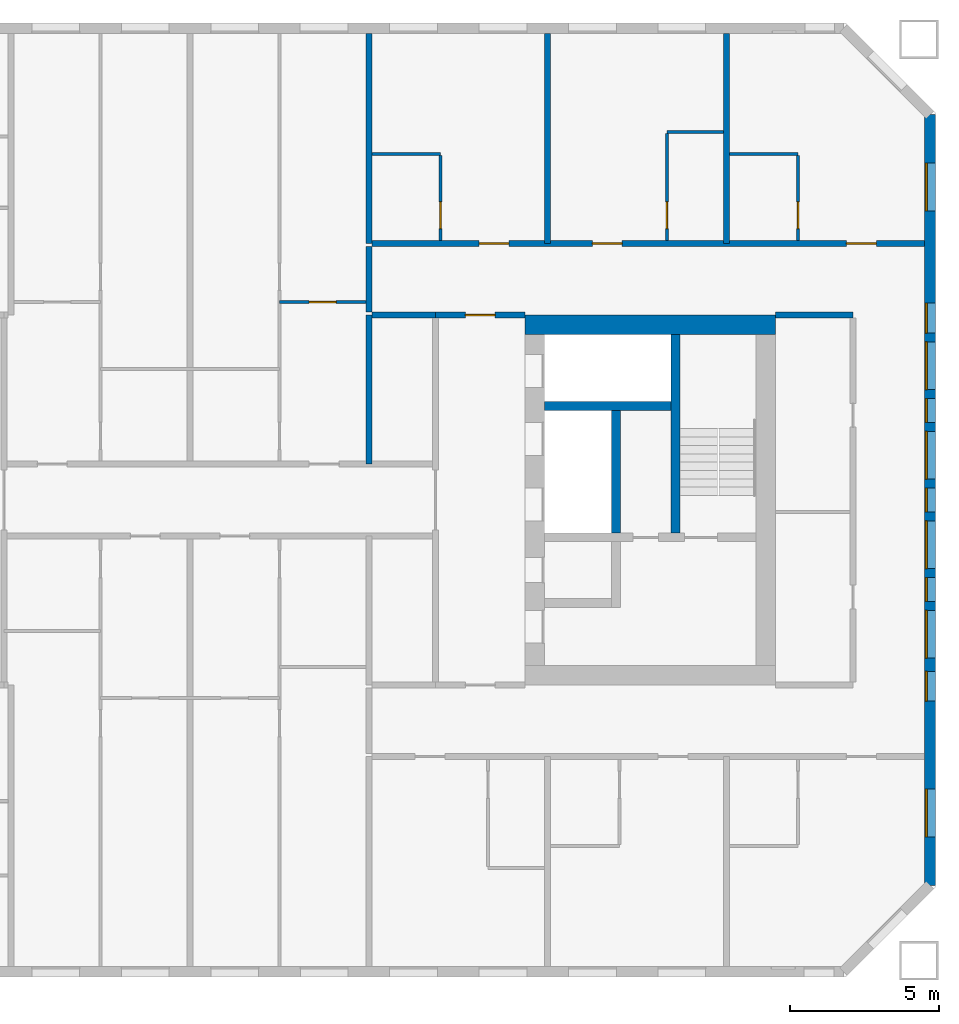
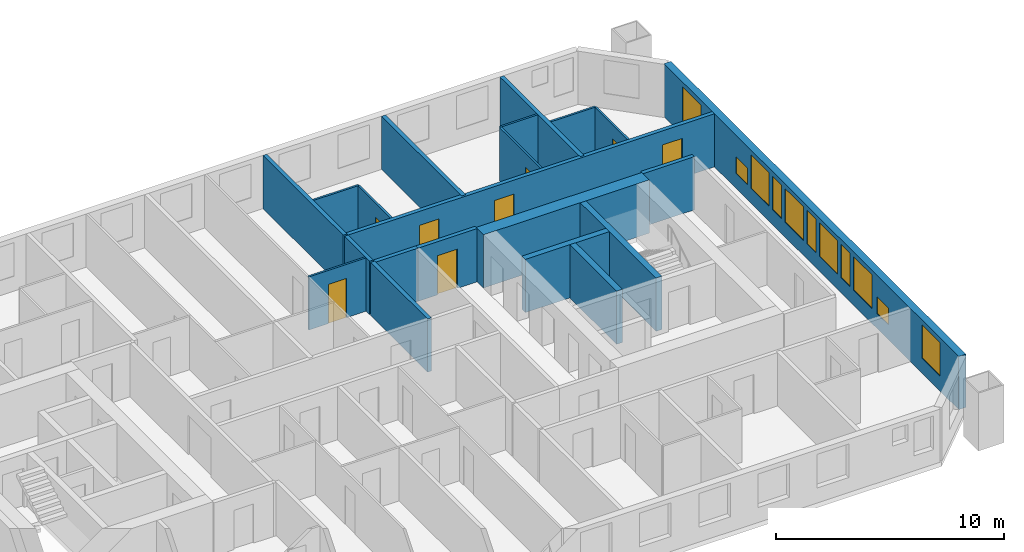
# One storey, part 14 of 17: 21 walls, 11 windows, 8 doors, 19 openings.
"""IFC4 building model written with IfcOpenShell, lengths in metres."""

from ifc_helpers import new_model, si_unit, direction, frame, frame_2d, origin, place, context, subcontext, project, spatial, rectangle, extrude, material, layer, layer_set, type_object, element, fill, save


model = new_model("IFC4")

# Units and contexts
model_context = context("Model", 3, precision=1e-05, world=origin(), true_north=direction((0.0, 1.0)))
body_context = subcontext(model_context, "Body", "Model", "MODEL_VIEW")
ifc_project = project(units=[si_unit("LENGTHUNIT", "METRE"), si_unit("AREAUNIT", "SQUARE_METRE"), si_unit("VOLUMEUNIT", "CUBIC_METRE"), si_unit("PLANEANGLEUNIT", "RADIAN"), si_unit("MASSUNIT", "GRAM", prefix="KILO")], contexts=[model_context])

# Site, building, storey
site_placement = place(None, origin())
site = spatial("IfcSite", under=ifc_project, at=site_placement, CompositionType="ELEMENT")
building_placement = place(site_placement, origin())
building = spatial("IfcBuilding", under=site, at=building_placement, Name="Tuart Gate Housing", CompositionType="ELEMENT")
storey_placement = place(building_placement, frame((0.0, 0.0, 99.5)))
storey = spatial("IfcBuildingStorey", under=building, at=storey_placement, Name="L27", CompositionType="ELEMENT", Elevation=99.5)

# Wall, openings, windows
ifc_material_1 = material(Name="Brick", Category="masonry")
ifc_layer_1 = layer(ifc_material_1, 0.360107421875)
ifc_layer_set_1 = layer_set([ifc_layer_1], Name="Brick pier and spandrel wall 360")
wall_type_1 = type_object("IfcWallType", Name="Brick pier and spandrel wall 360", PredefinedType="STANDARD", material=ifc_layer_set_1)
wall_1_placement = place(storey_placement, frame((173.820068359375, 57.07470703125, 0.0), z_axis=(0.0, 0.0, 1.0), x_axis=(0.0, 1.0, 0.0)))
wall_1 = element("IfcWall", 1, at=wall_1_placement, inside=storey, type_object=wall_type_1, Name="External wall B-E L27", PredefinedType="STANDARD", context=body_context, shape_type="SweptSolid", body=[
    extrude(rectangle(XDim=25.850830078125, YDim=0.360107421875, at=frame_2d((12.92529296875, 0.0))), origin(), (0.0, 0.0, 1.0), 2.85009765625),
])
opening_1_placement = place(wall_1_placement, frame((1.62548828125, 0.0, 0.800048828125)))
opening_1 = element("IfcOpeningElement", 2, at=opening_1_placement, cuts=wall_1, Name="Opening W1", PredefinedType="OPENING", context=body_context, shape_type="SweptSolid", body=[
    extrude(rectangle(XDim=1.60009765625, YDim=1.800048828125, at=frame_2d((0.800048828125, 0.89990234375))), frame((0.0, 0.18994140625, 0.0), z_axis=(0.0, -1.0, 0.0), x_axis=(1.0, 0.0, 0.0)), (0.0, 0.0, 1.0), 0.380126953125),
])
opening_2_placement = place(wall_1_placement, frame((6.17529296875, 0.0, 0.800048828125)))
opening_2 = element("IfcOpeningElement", 3, at=opening_2_placement, cuts=wall_1, Name="Opening W1U", PredefinedType="OPENING", context=body_context, shape_type="SweptSolid", body=[
    extrude(rectangle(XDim=1.0, YDim=0.89990234375, at=frame_2d((0.5, 0.449951171875))), frame((0.0, 0.18994140625, 0.0), z_axis=(0.0, -1.0, 0.0), x_axis=(1.0, 0.0, 0.0)), (0.0, 0.0, 1.0), 0.380126953125),
])
opening_3_placement = place(wall_1_placement, frame((7.62548828125, 0.0, 0.800048828125)))
opening_3 = element("IfcOpeningElement", 4, at=opening_3_placement, cuts=wall_1, Name="Opening W1", PredefinedType="OPENING", context=body_context, shape_type="SweptSolid", body=[
    extrude(rectangle(XDim=1.60009765625, YDim=1.800048828125, at=frame_2d((0.800048828125, 0.89990234375))), frame((0.0, 0.18994140625, 0.0), z_axis=(0.0, -1.0, 0.0), x_axis=(1.0, 0.0, 0.0)), (0.0, 0.0, 1.0), 0.380126953125),
])
opening_4_placement = place(wall_1_placement, frame((10.62548828125, 0.0, 0.800048828125)))
opening_4 = element("IfcOpeningElement", 5, at=opening_4_placement, cuts=wall_1, Name="Opening W1", PredefinedType="OPENING", context=body_context, shape_type="SweptSolid", body=[
    extrude(rectangle(XDim=1.60009765625, YDim=1.800048828125, at=frame_2d((0.800048828125, 0.89990234375))), frame((0.0, 0.18994140625, 0.0), z_axis=(0.0, -1.0, 0.0), x_axis=(1.0, 0.0, 0.0)), (0.0, 0.0, 1.0), 0.380126953125),
])
opening_5_placement = place(wall_1_placement, frame((13.62548828125, 0.0, 0.800048828125)))
opening_5 = element("IfcOpeningElement", 6, at=opening_5_placement, cuts=wall_1, Name="Opening W1", PredefinedType="OPENING", context=body_context, shape_type="SweptSolid", body=[
    extrude(rectangle(XDim=1.60009765625, YDim=1.800048828125, at=frame_2d((0.800048828125, 0.89990234375))), frame((0.0, 0.18994140625, 0.0), z_axis=(0.0, -1.0, 0.0), x_axis=(1.0, 0.0, 0.0)), (0.0, 0.0, 1.0), 0.380126953125),
])
opening_6_placement = place(wall_1_placement, frame((16.62548828125, 0.0, 0.800048828125)))
opening_6 = element("IfcOpeningElement", 7, at=opening_6_placement, cuts=wall_1, Name="Opening W1", PredefinedType="OPENING", context=body_context, shape_type="SweptSolid", body=[
    extrude(rectangle(XDim=1.60009765625, YDim=1.800048828125, at=frame_2d((0.800048828125, 0.89990234375))), frame((0.0, 0.18994140625, 0.0), z_axis=(0.0, -1.0, 0.0), x_axis=(1.0, 0.0, 0.0)), (0.0, 0.0, 1.0), 0.380126953125),
])
opening_7_placement = place(wall_1_placement, frame((9.525390625, 0.0, 0.800048828125)))
opening_7 = element("IfcOpeningElement", 8, at=opening_7_placement, cuts=wall_1, Name="Opening W1D", PredefinedType="OPENING", context=body_context, shape_type="SweptSolid", body=[
    extrude(rectangle(XDim=0.800048828125, YDim=1.800048828125, at=frame_2d((0.39990234375, 0.89990234375))), frame((0.0, 0.18994140625, 0.0), z_axis=(0.0, -1.0, 0.0), x_axis=(1.0, 0.0, 0.0)), (0.0, 0.0, 1.0), 0.380126953125),
])
opening_8_placement = place(wall_1_placement, frame((22.62548828125, 0.0, 0.800048828125)))
opening_8 = element("IfcOpeningElement", 9, at=opening_8_placement, cuts=wall_1, Name="Opening W1", PredefinedType="OPENING", context=body_context, shape_type="SweptSolid", body=[
    extrude(rectangle(XDim=1.60009765625, YDim=1.800048828125, at=frame_2d((0.800048828125, 0.89990234375))), frame((0.0, 0.18994140625, 0.0), z_axis=(0.0, -1.0, 0.0), x_axis=(1.0, 0.0, 0.0)), (0.0, 0.0, 1.0), 0.380126953125),
])
opening_9_placement = place(wall_1_placement, frame((12.525390625, 0.0, 0.800048828125)))
opening_9 = element("IfcOpeningElement", 10, at=opening_9_placement, cuts=wall_1, Name="Opening W1D", PredefinedType="OPENING", context=body_context, shape_type="SweptSolid", body=[
    extrude(rectangle(XDim=0.800048828125, YDim=1.800048828125, at=frame_2d((0.39990234375, 0.89990234375))), frame((0.0, 0.18994140625, 0.0), z_axis=(0.0, -1.0, 0.0), x_axis=(1.0, 0.0, 0.0)), (0.0, 0.0, 1.0), 0.380126953125),
])
opening_10_placement = place(wall_1_placement, frame((15.525390625, 0.0, 0.800048828125)))
opening_10 = element("IfcOpeningElement", 11, at=opening_10_placement, cuts=wall_1, Name="Opening W1D", PredefinedType="OPENING", context=body_context, shape_type="SweptSolid", body=[
    extrude(rectangle(XDim=0.800048828125, YDim=1.800048828125, at=frame_2d((0.39990234375, 0.89990234375))), frame((0.0, 0.18994140625, 0.0), z_axis=(0.0, -1.0, 0.0), x_axis=(1.0, 0.0, 0.0)), (0.0, 0.0, 1.0), 0.380126953125),
])
opening_11_placement = place(wall_1_placement, frame((18.525390625, 0.0, 0.800048828125)))
opening_11 = element("IfcOpeningElement", 12, at=opening_11_placement, cuts=wall_1, Name="Opening W1U", PredefinedType="OPENING", context=body_context, shape_type="SweptSolid", body=[
    extrude(rectangle(XDim=1.0, YDim=0.89990234375, at=frame_2d((0.5, 0.449951171875))), frame((0.0, 0.18994140625, 0.0), z_axis=(0.0, -1.0, 0.0), x_axis=(1.0, 0.0, 0.0)), (0.0, 0.0, 1.0), 0.380126953125),
])
ifc_material_2 = material(Name="Aluminium frame with clear glass", Category="aluminium")
window_type_1 = type_object("IfcWindowType", Name="Punched window 1000 x 900", PartitioningType="SINGLE_PANEL", PredefinedType="WINDOW", material=ifc_material_2)
window_1_placement = place(opening_2_placement, origin())
window_1 = element("IfcWindow", 13, at=window_1_placement, inside=storey, type_object=window_type_1, Name="Window W1U", OverallHeight=0.89990234375, OverallWidth=1.0, PartitioningType="SINGLE_PANEL", PredefinedType="WINDOW", context=body_context, shape_type="SweptSolid", body=[
    extrude(rectangle(XDim=1.0, YDim=0.89990234375, at=frame_2d((0.5, 0.449951171875))), frame((0.0, 0.150146484375, 0.0), z_axis=(0.0, -1.0, 0.0), x_axis=(1.0, 0.0, 0.0)), (0.0, 0.0, 1.0), 0.06005859375),
])
fill(opening_2, window_1)
window_2_placement = place(opening_11_placement, origin())
window_2 = element("IfcWindow", 14, at=window_2_placement, inside=storey, type_object=window_type_1, Name="Window W1U", OverallHeight=0.89990234375, OverallWidth=1.0, PartitioningType="SINGLE_PANEL", PredefinedType="WINDOW", context=body_context, shape_type="SweptSolid", body=[
    extrude(rectangle(XDim=1.0, YDim=0.89990234375, at=frame_2d((0.5, 0.449951171875))), frame((0.0, 0.150146484375, 0.0), z_axis=(0.0, -1.0, 0.0), x_axis=(1.0, 0.0, 0.0)), (0.0, 0.0, 1.0), 0.06005859375),
])
fill(opening_11, window_2)
ifc_material_3 = material(Name="Aluminium frame with clear glass", Category="aluminium")
window_type_2 = type_object("IfcWindowType", Name="Punched window 1600 x 1800", PartitioningType="SINGLE_PANEL", PredefinedType="WINDOW", material=ifc_material_3)
window_3_placement = place(opening_1_placement, origin())
window_3 = element("IfcWindow", 15, at=window_3_placement, inside=storey, type_object=window_type_2, Name="Window W1", OverallHeight=1.800048828125, OverallWidth=1.60009765625, PartitioningType="SINGLE_PANEL", PredefinedType="WINDOW", context=body_context, shape_type="SweptSolid", body=[
    extrude(rectangle(XDim=1.60009765625, YDim=1.800048828125, at=frame_2d((0.800048828125, 0.89990234375))), frame((0.0, 0.150146484375, 0.0), z_axis=(0.0, -1.0, 0.0), x_axis=(1.0, 0.0, 0.0)), (0.0, 0.0, 1.0), 0.06005859375),
])
fill(opening_1, window_3)
window_4_placement = place(opening_3_placement, origin())
window_4 = element("IfcWindow", 16, at=window_4_placement, inside=storey, type_object=window_type_2, Name="Window W1", OverallHeight=1.800048828125, OverallWidth=1.60009765625, PartitioningType="SINGLE_PANEL", PredefinedType="WINDOW", context=body_context, shape_type="SweptSolid", body=[
    extrude(rectangle(XDim=1.60009765625, YDim=1.800048828125, at=frame_2d((0.800048828125, 0.89990234375))), frame((0.0, 0.150146484375, 0.0), z_axis=(0.0, -1.0, 0.0), x_axis=(1.0, 0.0, 0.0)), (0.0, 0.0, 1.0), 0.06005859375),
])
fill(opening_3, window_4)
window_5_placement = place(opening_4_placement, origin())
window_5 = element("IfcWindow", 17, at=window_5_placement, inside=storey, type_object=window_type_2, Name="Window W1", OverallHeight=1.800048828125, OverallWidth=1.60009765625, PartitioningType="SINGLE_PANEL", PredefinedType="WINDOW", context=body_context, shape_type="SweptSolid", body=[
    extrude(rectangle(XDim=1.60009765625, YDim=1.800048828125, at=frame_2d((0.800048828125, 0.89990234375))), frame((0.0, 0.150146484375, 0.0), z_axis=(0.0, -1.0, 0.0), x_axis=(1.0, 0.0, 0.0)), (0.0, 0.0, 1.0), 0.06005859375),
])
fill(opening_4, window_5)
window_6_placement = place(opening_5_placement, origin())
window_6 = element("IfcWindow", 18, at=window_6_placement, inside=storey, type_object=window_type_2, Name="Window W1", OverallHeight=1.800048828125, OverallWidth=1.60009765625, PartitioningType="SINGLE_PANEL", PredefinedType="WINDOW", context=body_context, shape_type="SweptSolid", body=[
    extrude(rectangle(XDim=1.60009765625, YDim=1.800048828125, at=frame_2d((0.800048828125, 0.89990234375))), frame((0.0, 0.150146484375, 0.0), z_axis=(0.0, -1.0, 0.0), x_axis=(1.0, 0.0, 0.0)), (0.0, 0.0, 1.0), 0.06005859375),
])
fill(opening_5, window_6)
window_7_placement = place(opening_6_placement, origin())
window_7 = element("IfcWindow", 19, at=window_7_placement, inside=storey, type_object=window_type_2, Name="Window W1", OverallHeight=1.800048828125, OverallWidth=1.60009765625, PartitioningType="SINGLE_PANEL", PredefinedType="WINDOW", context=body_context, shape_type="SweptSolid", body=[
    extrude(rectangle(XDim=1.60009765625, YDim=1.800048828125, at=frame_2d((0.800048828125, 0.89990234375))), frame((0.0, 0.150146484375, 0.0), z_axis=(0.0, -1.0, 0.0), x_axis=(1.0, 0.0, 0.0)), (0.0, 0.0, 1.0), 0.06005859375),
])
fill(opening_6, window_7)
window_8_placement = place(opening_8_placement, origin())
window_8 = element("IfcWindow", 20, at=window_8_placement, inside=storey, type_object=window_type_2, Name="Window W1", OverallHeight=1.800048828125, OverallWidth=1.60009765625, PartitioningType="SINGLE_PANEL", PredefinedType="WINDOW", context=body_context, shape_type="SweptSolid", body=[
    extrude(rectangle(XDim=1.60009765625, YDim=1.800048828125, at=frame_2d((0.800048828125, 0.89990234375))), frame((0.0, 0.150146484375, 0.0), z_axis=(0.0, -1.0, 0.0), x_axis=(1.0, 0.0, 0.0)), (0.0, 0.0, 1.0), 0.06005859375),
])
fill(opening_8, window_8)
ifc_material_4 = material(Name="Aluminium frame with clear glass", Category="aluminium")
window_type_3 = type_object("IfcWindowType", Name="Punched window 800 x 1800", PartitioningType="SINGLE_PANEL", PredefinedType="WINDOW", material=ifc_material_4)
window_9_placement = place(opening_7_placement, origin())
window_9 = element("IfcWindow", 21, at=window_9_placement, inside=storey, type_object=window_type_3, Name="Window W1D", OverallHeight=1.800048828125, OverallWidth=0.800048828125, PartitioningType="SINGLE_PANEL", PredefinedType="WINDOW", context=body_context, shape_type="SweptSolid", body=[
    extrude(rectangle(XDim=0.800048828125, YDim=1.800048828125, at=frame_2d((0.39990234375, 0.89990234375))), frame((0.0, 0.150146484375, 0.0), z_axis=(0.0, -1.0, 0.0), x_axis=(1.0, 0.0, 0.0)), (0.0, 0.0, 1.0), 0.06005859375),
])
fill(opening_7, window_9)
window_10_placement = place(opening_9_placement, origin())
window_10 = element("IfcWindow", 22, at=window_10_placement, inside=storey, type_object=window_type_3, Name="Window W1D", OverallHeight=1.800048828125, OverallWidth=0.800048828125, PartitioningType="SINGLE_PANEL", PredefinedType="WINDOW", context=body_context, shape_type="SweptSolid", body=[
    extrude(rectangle(XDim=0.800048828125, YDim=1.800048828125, at=frame_2d((0.39990234375, 0.89990234375))), frame((0.0, 0.150146484375, 0.0), z_axis=(0.0, -1.0, 0.0), x_axis=(1.0, 0.0, 0.0)), (0.0, 0.0, 1.0), 0.06005859375),
])
fill(opening_9, window_10)
window_11_placement = place(opening_10_placement, origin())
window_11 = element("IfcWindow", 23, at=window_11_placement, inside=storey, type_object=window_type_3, Name="Window W1D", OverallHeight=1.800048828125, OverallWidth=0.800048828125, PartitioningType="SINGLE_PANEL", PredefinedType="WINDOW", context=body_context, shape_type="SweptSolid", body=[
    extrude(rectangle(XDim=0.800048828125, YDim=1.800048828125, at=frame_2d((0.39990234375, 0.89990234375))), frame((0.0, 0.150146484375, 0.0), z_axis=(0.0, -1.0, 0.0), x_axis=(1.0, 0.0, 0.0)), (0.0, 0.0, 1.0), 0.06005859375),
])
fill(opening_10, window_11)

# Walls
ifc_material_5 = material(Name="Concrete C50", Category="concrete")
ifc_layer_2 = layer(ifc_material_5, 0.300048828125)
ifc_layer_set_2 = layer_set([ifc_layer_2], Name="Core wall 300 C50")
wall_type_2 = type_object("IfcWallType", Name="Core wall 300 C50", PredefinedType="SHEAR", material=ifc_layer_set_2)
wall_2_placement = place(storey_placement, frame((160.889892578125, 73.14990234375, 0.0), z_axis=(0.0, 0.0, 1.0), x_axis=(1.0, 0.0, 0.0)))
element("IfcWall", 24, at=wall_2_placement, inside=storey, type_object=wall_type_2, Name="Core wall BK.1", PredefinedType="SHEAR", context=body_context, shape_type="SweptSolid", body=[
    extrude(rectangle(XDim=4.25, YDim=0.300048828125, at=frame_2d((2.125, 0.0))), origin(), (0.0, 0.0, 1.0), 2.85009765625),
])
wall_3_placement = place(storey_placement, frame((163.2900390625, 73.0, 0.0), z_axis=(0.0, 0.0, 1.0), x_axis=(0.0, -1.0, 0.0)))
element("IfcWall", 25, at=wall_3_placement, inside=storey, type_object=wall_type_2, Name="Core wall BK.4", PredefinedType="SHEAR", context=body_context, shape_type="SweptSolid", body=[
    extrude(rectangle(XDim=4.10009765625, YDim=0.300048828125, at=frame_2d((2.050048828125, 0.0))), origin(), (0.0, 0.0, 1.0), 2.85009765625),
])
wall_4_placement = place(storey_placement, frame((165.2900390625, 75.550048828125, 0.0), z_axis=(0.0, 0.0, 1.0), x_axis=(0.0, -1.0, 0.0)))
element("IfcWall", 26, at=wall_4_placement, inside=storey, type_object=wall_type_2, Name="Core wall BK.6", PredefinedType="SHEAR", context=body_context, shape_type="SweptSolid", body=[
    extrude(rectangle(XDim=6.650146484375, YDim=0.300048828125, at=frame_2d((3.3251953125, 0.0))), origin(), (0.0, 0.0, 1.0), 2.85009765625),
])
ifc_material_6 = material(Name="Concrete C50", Category="concrete")
ifc_layer_3 = layer(ifc_material_6, 0.64990234375)
ifc_layer_set_3 = layer_set([ifc_layer_3], Name="Core wall 650 C50")
wall_type_3 = type_object("IfcWallType", Name="Core wall 650 C50", PredefinedType="SHEAR", material=ifc_layer_set_3)
wall_5_placement = place(storey_placement, frame((160.239990234375, 75.875, 0.0), z_axis=(0.0, 0.0, 1.0), x_axis=(1.0, 0.0, 0.0)))
element("IfcWall", 27, at=wall_5_placement, inside=storey, type_object=wall_type_3, Name="Core wall BK south", PredefinedType="SHEAR", context=body_context, shape_type="SweptSolid", body=[
    extrude(rectangle(XDim=8.39990234375, YDim=0.64990234375, at=frame_2d((4.199951171875, 0.0))), origin(), (0.0, 0.0, 1.0), 2.85009765625),
])
ifc_material_7 = material(Name="Concrete masonry 15 MPa", Category="masonry")
ifc_layer_4 = layer(ifc_material_7, 0.199951171875)
ifc_layer_set_4 = layer_set([ifc_layer_4], Name="Corridor wall masonry 200")
wall_type_4 = type_object("IfcWallType", Name="Corridor wall masonry 200", PredefinedType="PARTITIONING", material=ifc_layer_set_4)
wall_6_placement = place(storey_placement, frame((155.10009765625, 76.199951171875, 0.0), z_axis=(0.0, 0.0, 1.0), x_axis=(1.0, 0.0, 0.0)))
element("IfcWall", 28, at=wall_6_placement, inside=storey, type_object=wall_type_4, Name="Corridor wall masonry 200", PredefinedType="PARTITIONING", context=body_context, shape_type="SweptSolid", body=[
    extrude(rectangle(XDim=2.139892578125, YDim=0.199951171875, at=frame_2d((1.06982421875, 0.0))), origin(), (0.0, 0.0, 1.0), 2.85009765625),
])
wall_7_placement = place(storey_placement, frame((168.639892578125, 76.199951171875, 0.0), z_axis=(0.0, 0.0, 1.0), x_axis=(1.0, 0.0, 0.0)))
element("IfcWall", 29, at=wall_7_placement, inside=storey, type_object=wall_type_4, Name="Corridor wall masonry 200", PredefinedType="PARTITIONING", context=body_context, shape_type="SweptSolid", body=[
    extrude(rectangle(XDim=2.60009765625, YDim=0.199951171875, at=frame_2d((1.300048828125, 0.0))), origin(), (0.0, 0.0, 1.0), 2.85009765625),
])

# Wall, openings, doors
wall_8_placement = place(storey_placement, frame((155.10009765625, 78.60009765625, 0.0), z_axis=(0.0, 0.0, 1.0), x_axis=(1.0, 0.0, 0.0)))
wall_8 = element("IfcWall", 30, at=wall_8_placement, inside=storey, type_object=wall_type_4, Name="Corridor wall masonry 200", PredefinedType="PARTITIONING", context=body_context, shape_type="SweptSolid", body=[
    extrude(rectangle(XDim=18.539794921875, YDim=0.199951171875, at=frame_2d((9.27001953125, 0.0))), origin(), (0.0, 0.0, 1.0), 2.85009765625),
])
opening_12_placement = place(wall_8_placement, frame((3.60009765625, 0.0, 0.0)))
opening_12 = element("IfcOpeningElement", 31, at=opening_12_placement, cuts=wall_8, Name="Opening D1132", PredefinedType="OPENING", context=body_context, shape_type="SweptSolid", body=[
    extrude(rectangle(XDim=1.0, YDim=2.10009765625, at=frame_2d((0.5, 1.050048828125))), frame((0.0, 0.10986328125, 0.0), z_axis=(0.0, -1.0, 0.0), x_axis=(1.0, 0.0, 0.0)), (0.0, 0.0, 1.0), 0.219970703125),
])
opening_13_placement = place(wall_8_placement, frame((7.39990234375, 0.0, 0.0)))
opening_13 = element("IfcOpeningElement", 32, at=opening_13_placement, cuts=wall_8, Name="Opening D1133", PredefinedType="OPENING", context=body_context, shape_type="SweptSolid", body=[
    extrude(rectangle(XDim=1.0, YDim=2.10009765625, at=frame_2d((0.5, 1.050048828125))), frame((0.0, 0.10986328125, 0.0), z_axis=(0.0, -1.0, 0.0), x_axis=(1.0, 0.0, 0.0)), (0.0, 0.0, 1.0), 0.219970703125),
])
opening_14_placement = place(wall_8_placement, frame((15.919921875, 0.0, 0.0)))
opening_14 = element("IfcOpeningElement", 33, at=opening_14_placement, cuts=wall_8, Name="Opening D1134", PredefinedType="OPENING", context=body_context, shape_type="SweptSolid", body=[
    extrude(rectangle(XDim=1.0, YDim=2.10009765625, at=frame_2d((0.5, 1.050048828125))), frame((0.0, 0.10986328125, 0.0), z_axis=(0.0, -1.0, 0.0), x_axis=(1.0, 0.0, 0.0)), (0.0, 0.0, 1.0), 0.219970703125),
])
ifc_material_8 = material(Name="Timber door leaf in steel frame", Category="steel")
door_type_1 = type_object("IfcDoorType", Name="Flat entrance door 1000", OperationType="SINGLE_SWING_LEFT", PredefinedType="DOOR", material=ifc_material_8)
door_1_placement = place(opening_12_placement, origin())
door_1 = element("IfcDoor", 34, at=door_1_placement, inside=storey, type_object=door_type_1, Name="Flat entrance door", OperationType="SINGLE_SWING_LEFT", OverallHeight=2.10009765625, OverallWidth=1.0, PredefinedType="DOOR", context=body_context, shape_type="SweptSolid", body=[
    extrude(rectangle(XDim=1.0, YDim=2.10009765625, at=frame_2d((0.5, 1.050048828125))), frame((0.0, 0.02490234375, 0.0), z_axis=(0.0, -1.0, 0.0), x_axis=(1.0, 0.0, 0.0)), (0.0, 0.0, 1.0), 0.050048828125),
])
fill(opening_12, door_1)
door_2_placement = place(opening_13_placement, origin())
door_2 = element("IfcDoor", 35, at=door_2_placement, inside=storey, type_object=door_type_1, Name="Flat entrance door", OperationType="SINGLE_SWING_LEFT", OverallHeight=2.10009765625, OverallWidth=1.0, PredefinedType="DOOR", context=body_context, shape_type="SweptSolid", body=[
    extrude(rectangle(XDim=1.0, YDim=2.10009765625, at=frame_2d((0.5, 1.050048828125))), frame((0.0, 0.02490234375, 0.0), z_axis=(0.0, -1.0, 0.0), x_axis=(1.0, 0.0, 0.0)), (0.0, 0.0, 1.0), 0.050048828125),
])
fill(opening_13, door_2)
door_3_placement = place(opening_14_placement, origin())
door_3 = element("IfcDoor", 36, at=door_3_placement, inside=storey, type_object=door_type_1, Name="Flat entrance door", OperationType="SINGLE_SWING_LEFT", OverallHeight=2.10009765625, OverallWidth=1.0, PredefinedType="DOOR", context=body_context, shape_type="SweptSolid", body=[
    extrude(rectangle(XDim=1.0, YDim=2.10009765625, at=frame_2d((0.5, 1.050048828125))), frame((0.0, 0.02490234375, 0.0), z_axis=(0.0, -1.0, 0.0), x_axis=(1.0, 0.0, 0.0)), (0.0, 0.0, 1.0), 0.050048828125),
])
fill(opening_14, door_3)

# Wall
wall_9_placement = place(storey_placement, frame((155.0, 76.300048828125, 0.0), z_axis=(0.0, 0.0, 1.0), x_axis=(0.0, 1.0, 0.0)))
element("IfcWall", 37, at=wall_9_placement, inside=storey, type_object=wall_type_4, Name="Corridor wall masonry 200", PredefinedType="PARTITIONING", context=body_context, shape_type="SweptSolid", body=[
    extrude(rectangle(XDim=2.199951171875, YDim=0.199951171875, at=frame_2d((1.10009765625, 0.0))), origin(), (0.0, 0.0, 1.0), 2.85009765625),
])

# Wall, opening, door
ifc_material_9 = material(Name="Concrete masonry 15 MPa", Category="masonry")
ifc_layer_5 = layer(ifc_material_9, 0.199951171875)
ifc_layer_set_5 = layer_set([ifc_layer_5], Name="Enclosure wall masonry 200")
wall_type_5 = type_object("IfcWallType", Name="Enclosure wall masonry 200", PredefinedType="PARTITIONING", material=ifc_layer_set_5)
wall_10_placement = place(storey_placement, frame((157.239990234375, 76.199951171875, 0.0), z_axis=(0.0, 0.0, 1.0), x_axis=(1.0, 0.0, 0.0)))
wall_10 = element("IfcWall", 38, at=wall_10_placement, inside=storey, type_object=wall_type_5, Name="Enclosure wall masonry 200", PredefinedType="PARTITIONING", context=body_context, shape_type="SweptSolid", body=[
    extrude(rectangle(XDim=3.0, YDim=0.199951171875, at=frame_2d((1.5, 0.0))), origin(), (0.0, 0.0, 1.0), 2.85009765625),
])
opening_15_placement = place(wall_10_placement, frame((1.0, 0.0, 0.0)))
opening_15 = element("IfcOpeningElement", 39, at=opening_15_placement, cuts=wall_10, Name="Opening D1142", PredefinedType="OPENING", context=body_context, shape_type="SweptSolid", body=[
    extrude(rectangle(XDim=1.0, YDim=2.10009765625, at=frame_2d((0.5, 1.050048828125))), frame((0.0, 0.10986328125, 0.0), z_axis=(0.0, -1.0, 0.0), x_axis=(1.0, 0.0, 0.0)), (0.0, 0.0, 1.0), 0.219970703125),
])
ifc_material_10 = material(Name="Timber door leaf in steel frame", Category="steel")
door_type_2 = type_object("IfcDoorType", Name="Fire door 1000", OperationType="SINGLE_SWING_LEFT", PredefinedType="DOOR", material=ifc_material_10)
door_4_placement = place(opening_15_placement, origin())
door_4 = element("IfcDoor", 40, at=door_4_placement, inside=storey, type_object=door_type_2, Name="Fire door", OperationType="SINGLE_SWING_LEFT", OverallHeight=2.10009765625, OverallWidth=1.0, PredefinedType="DOOR", context=body_context, shape_type="SweptSolid", body=[
    extrude(rectangle(XDim=1.0, YDim=2.10009765625, at=frame_2d((0.5, 1.050048828125))), frame((0.0, 0.02490234375, 0.0), z_axis=(0.0, -1.0, 0.0), x_axis=(1.0, 0.0, 0.0)), (0.0, 0.0, 1.0), 0.050048828125),
])
fill(opening_15, door_4)

ifc_material_11 = material(Name="Gypsum board on steel studs", Category="steel")
ifc_layer_6 = layer(ifc_material_11, 0.10009765625)
ifc_layer_set_6 = layer_set([ifc_layer_6], Name="Partition 100")
wall_type_6 = type_object("IfcWallType", Name="Partition 100", PredefinedType="PARTITIONING", material=ifc_layer_set_6)
wall_11_placement = place(storey_placement, frame((152.0, 76.639892578125, 0.0), z_axis=(0.0, 0.0, 1.0), x_axis=(1.0, 0.0, 0.0)))
wall_11 = element("IfcWall", 41, at=wall_11_placement, inside=storey, type_object=wall_type_6, Name="Partition 100", PredefinedType="PARTITIONING", context=body_context, shape_type="SweptSolid", body=[
    extrude(rectangle(XDim=2.89990234375, YDim=0.10009765625, at=frame_2d((1.449951171875, 0.0))), origin(), (0.0, 0.0, 1.0), 2.85009765625),
])
opening_16_placement = place(wall_11_placement, frame((1.0, 0.0, 0.0)))
opening_16 = element("IfcOpeningElement", 42, at=opening_16_placement, cuts=wall_11, Name="Opening D1140", PredefinedType="OPENING", context=body_context, shape_type="SweptSolid", body=[
    extrude(rectangle(XDim=0.89990234375, YDim=2.10009765625, at=frame_2d((0.449951171875, 1.050048828125))), frame((0.0, 0.06005859375, 0.0), z_axis=(0.0, -1.0, 0.0), x_axis=(1.0, 0.0, 0.0)), (0.0, 0.0, 1.0), 0.1201171875),
])
ifc_material_12 = material(Name="Timber door leaf in steel frame", Category="steel")
door_type_3 = type_object("IfcDoorType", Name="Internal door 900 RH", OperationType="SINGLE_SWING_RIGHT", PredefinedType="DOOR", material=ifc_material_12)
door_5_placement = place(opening_16_placement, frame((0.89990234375, 0.0, 0.0), z_axis=(0.0, 0.0, 1.0), x_axis=(-1.0, 0.0, 0.0)))
door_5 = element("IfcDoor", 43, at=door_5_placement, inside=storey, type_object=door_type_3, Name="Internal door", OperationType="SINGLE_SWING_RIGHT", OverallHeight=2.10009765625, OverallWidth=0.89990234375, PredefinedType="DOOR", context=body_context, shape_type="SweptSolid", body=[
    extrude(rectangle(XDim=0.89990234375, YDim=2.10009765625, at=frame_2d((0.449951171875, 1.050048828125))), frame((0.0, 0.025146484375, 0.0), z_axis=(0.0, -1.0, 0.0), x_axis=(1.0, 0.0, 0.0)), (0.0, 0.0, 1.0), 0.050048828125),
])
fill(opening_16, door_5)

# Walls
for number, where, z_axis, x_axis, name in (
    (44, (155.10009765625, 81.60009765625, 0.0), (0.0, 0.0, 1.0), (1.0, 0.0, 0.0), "Partition 100"),
    (45, (167.10009765625, 81.60009765625, 0.0), (0.0, 0.0, 1.0), (1.0, 0.0, 0.0), "Partition 100"),
):
    element("IfcWall", number, at=place(storey_placement, frame(where, z_axis=z_axis, x_axis=x_axis)), inside=storey, type_object=wall_type_6, Name=name, PredefinedType="PARTITIONING", context=body_context, shape_type="SweptSolid", body=[
        extrude(rectangle(XDim=2.2998046875, YDim=0.10009765625, at=frame_2d((1.14990234375, 0.0))), origin(), (0.0, 0.0, 1.0), 2.85009765625),
    ])
wall_12_placement = place(storey_placement, frame((165.0, 82.35009765625, 0.0), z_axis=(0.0, 0.0, 1.0), x_axis=(1.0, 0.0, 0.0)))
element("IfcWall", 46, at=wall_12_placement, inside=storey, type_object=wall_type_6, Name="Partition 100", PredefinedType="PARTITIONING", context=body_context, shape_type="SweptSolid", body=[
    extrude(rectangle(XDim=1.89990234375, YDim=0.10009765625, at=frame_2d((0.949951171875, 0.0))), origin(), (0.0, 0.0, 1.0), 2.85009765625),
])

# Wall, opening, door
wall_13_placement = place(storey_placement, frame((157.39990234375, 78.699951171875, 0.0), z_axis=(0.0, 0.0, 1.0), x_axis=(0.0, 1.0, 0.0)))
wall_13 = element("IfcWall", 47, at=wall_13_placement, inside=storey, type_object=wall_type_6, Name="Partition 100", PredefinedType="PARTITIONING", context=body_context, shape_type="SweptSolid", body=[
    extrude(rectangle(XDim=2.85009765625, YDim=0.10009765625, at=frame_2d((1.425048828125, 0.0))), origin(), (0.0, 0.0, 1.0), 2.85009765625),
])
opening_17_placement = place(wall_13_placement, frame((0.39990234375, 0.0, 0.0)))
opening_17 = element("IfcOpeningElement", 48, at=opening_17_placement, cuts=wall_13, Name="Opening D1128", PredefinedType="OPENING", context=body_context, shape_type="SweptSolid", body=[
    extrude(rectangle(XDim=0.89990234375, YDim=2.10009765625, at=frame_2d((0.449951171875, 1.050048828125))), frame((0.0, 0.06005859375, 0.0), z_axis=(0.0, -1.0, 0.0), x_axis=(1.0, 0.0, 0.0)), (0.0, 0.0, 1.0), 0.1201171875),
])
ifc_material_13 = material(Name="Timber door leaf in steel frame", Category="steel")
door_type_4 = type_object("IfcDoorType", Name="Bathroom door 900", OperationType="SINGLE_SWING_LEFT", PredefinedType="DOOR", material=ifc_material_13)
door_6_placement = place(opening_17_placement, origin())
door_6 = element("IfcDoor", 49, at=door_6_placement, inside=storey, type_object=door_type_4, Name="Bathroom door", OperationType="SINGLE_SWING_LEFT", OverallHeight=2.10009765625, OverallWidth=0.89990234375, PredefinedType="DOOR", context=body_context, shape_type="SweptSolid", body=[
    extrude(rectangle(XDim=0.89990234375, YDim=2.10009765625, at=frame_2d((0.449951171875, 1.050048828125))), frame((0.0, 0.02490234375, 0.0), z_axis=(0.0, -1.0, 0.0), x_axis=(1.0, 0.0, 0.0)), (0.0, 0.0, 1.0), 0.050048828125),
])
fill(opening_17, door_6)

wall_14_placement = place(storey_placement, frame((165.0, 78.699951171875, 0.0), z_axis=(0.0, 0.0, 1.0), x_axis=(0.0, 1.0, 0.0)))
wall_14 = element("IfcWall", 50, at=wall_14_placement, inside=storey, type_object=wall_type_6, Name="Partition 100", PredefinedType="PARTITIONING", context=body_context, shape_type="SweptSolid", body=[
    extrude(rectangle(XDim=3.60009765625, YDim=0.10009765625, at=frame_2d((1.800048828125, 0.0))), origin(), (0.0, 0.0, 1.0), 2.85009765625),
])
opening_18_placement = place(wall_14_placement, frame((0.39990234375, 0.0, 0.0)))
opening_18 = element("IfcOpeningElement", 51, at=opening_18_placement, cuts=wall_14, Name="Opening D1127", PredefinedType="OPENING", context=body_context, shape_type="SweptSolid", body=[
    extrude(rectangle(XDim=0.89990234375, YDim=2.10009765625, at=frame_2d((0.449951171875, 1.050048828125))), frame((0.0, 0.06005859375, 0.0), z_axis=(0.0, -1.0, 0.0), x_axis=(1.0, 0.0, 0.0)), (0.0, 0.0, 1.0), 0.1201171875),
])
ifc_material_14 = material(Name="Timber door leaf in steel frame", Category="steel")
door_type_5 = type_object("IfcDoorType", Name="Bathroom door 900 RH", OperationType="SINGLE_SWING_RIGHT", PredefinedType="DOOR", material=ifc_material_14)
door_7_placement = place(opening_18_placement, frame((0.89990234375, 0.0, 0.0), z_axis=(0.0, 0.0, 1.0), x_axis=(-1.0, 0.0, 0.0)))
door_7 = element("IfcDoor", 52, at=door_7_placement, inside=storey, type_object=door_type_5, Name="Bathroom door", OperationType="SINGLE_SWING_RIGHT", OverallHeight=2.10009765625, OverallWidth=0.89990234375, PredefinedType="DOOR", context=body_context, shape_type="SweptSolid", body=[
    extrude(rectangle(XDim=0.89990234375, YDim=2.10009765625, at=frame_2d((0.449951171875, 1.050048828125))), frame((0.0, 0.025146484375, 0.0), z_axis=(0.0, -1.0, 0.0), x_axis=(1.0, 0.0, 0.0)), (0.0, 0.0, 1.0), 0.050048828125),
])
fill(opening_18, door_7)

wall_15_placement = place(storey_placement, frame((169.39990234375, 78.699951171875, 0.0), z_axis=(0.0, 0.0, 1.0), x_axis=(0.0, 1.0, 0.0)))
wall_15 = element("IfcWall", 53, at=wall_15_placement, inside=storey, type_object=wall_type_6, Name="Partition 100", PredefinedType="PARTITIONING", context=body_context, shape_type="SweptSolid", body=[
    extrude(rectangle(XDim=2.85009765625, YDim=0.10009765625, at=frame_2d((1.425048828125, 0.0))), origin(), (0.0, 0.0, 1.0), 2.85009765625),
])
opening_19_placement = place(wall_15_placement, frame((0.39990234375, 0.0, 0.0)))
opening_19 = element("IfcOpeningElement", 54, at=opening_19_placement, cuts=wall_15, Name="Opening D1129", PredefinedType="OPENING", context=body_context, shape_type="SweptSolid", body=[
    extrude(rectangle(XDim=0.89990234375, YDim=2.10009765625, at=frame_2d((0.449951171875, 1.050048828125))), frame((0.0, 0.06005859375, 0.0), z_axis=(0.0, -1.0, 0.0), x_axis=(1.0, 0.0, 0.0)), (0.0, 0.0, 1.0), 0.1201171875),
])
door_8_placement = place(opening_19_placement, origin())
door_8 = element("IfcDoor", 55, at=door_8_placement, inside=storey, type_object=door_type_4, Name="Bathroom door", OperationType="SINGLE_SWING_LEFT", OverallHeight=2.10009765625, OverallWidth=0.89990234375, PredefinedType="DOOR", context=body_context, shape_type="SweptSolid", body=[
    extrude(rectangle(XDim=0.89990234375, YDim=2.10009765625, at=frame_2d((0.449951171875, 1.050048828125))), frame((0.0, 0.02490234375, 0.0), z_axis=(0.0, -1.0, 0.0), x_axis=(1.0, 0.0, 0.0)), (0.0, 0.0, 1.0), 0.050048828125),
])
fill(opening_19, door_8)

# Walls
ifc_material_15 = material(Name="Concrete C40", Category="concrete")
ifc_layer_7 = layer(ifc_material_15, 0.199951171875)
ifc_layer_set_7 = layer_set([ifc_layer_7], Name="Party wall concrete C40 200")
wall_type_7 = type_object("IfcWallType", Name="Party wall concrete C40 200", PredefinedType="SOLIDWALL", material=ifc_layer_set_7)
wall_16_placement = place(storey_placement, frame((155.0, 71.199951171875, 0.0), z_axis=(0.0, 0.0, 1.0), x_axis=(0.0, 1.0, 0.0)))
element("IfcWall", 56, at=wall_16_placement, inside=storey, type_object=wall_type_7, Name="Party wall concrete C40 200", PredefinedType="SOLIDWALL", context=body_context, shape_type="SweptSolid", body=[
    extrude(rectangle(XDim=5.0, YDim=0.199951171875, at=frame_2d((2.5, 0.0))), origin(), (0.0, 0.0, 1.0), 2.85009765625),
])
for number, where, z_axis, x_axis, name in (
    (57, (155.0, 78.60009765625, 0.0), (0.0, 0.0, 1.0), (0.0, 1.0, 0.0), "Party wall concrete C40 200"),
    (58, (161.0, 78.60009765625, 0.0), (0.0, 0.0, 1.0), (0.0, 1.0, 0.0), "Party wall concrete C40 200"),
    (59, (167.0, 78.60009765625, 0.0), (0.0, 0.0, 1.0), (0.0, 1.0, 0.0), "Party wall concrete C40 200"),
):
    element("IfcWall", number, at=place(storey_placement, frame(where, z_axis=z_axis, x_axis=x_axis)), inside=storey, type_object=wall_type_7, Name=name, PredefinedType="SOLIDWALL", context=body_context, shape_type="SweptSolid", body=[
        extrude(rectangle(XDim=7.039794921875, YDim=0.199951171875, at=frame_2d((3.52001953125, 0.0))), origin(), (0.0, 0.0, 1.0), 2.85009765625),
    ])

save(model, "model.ifc")
